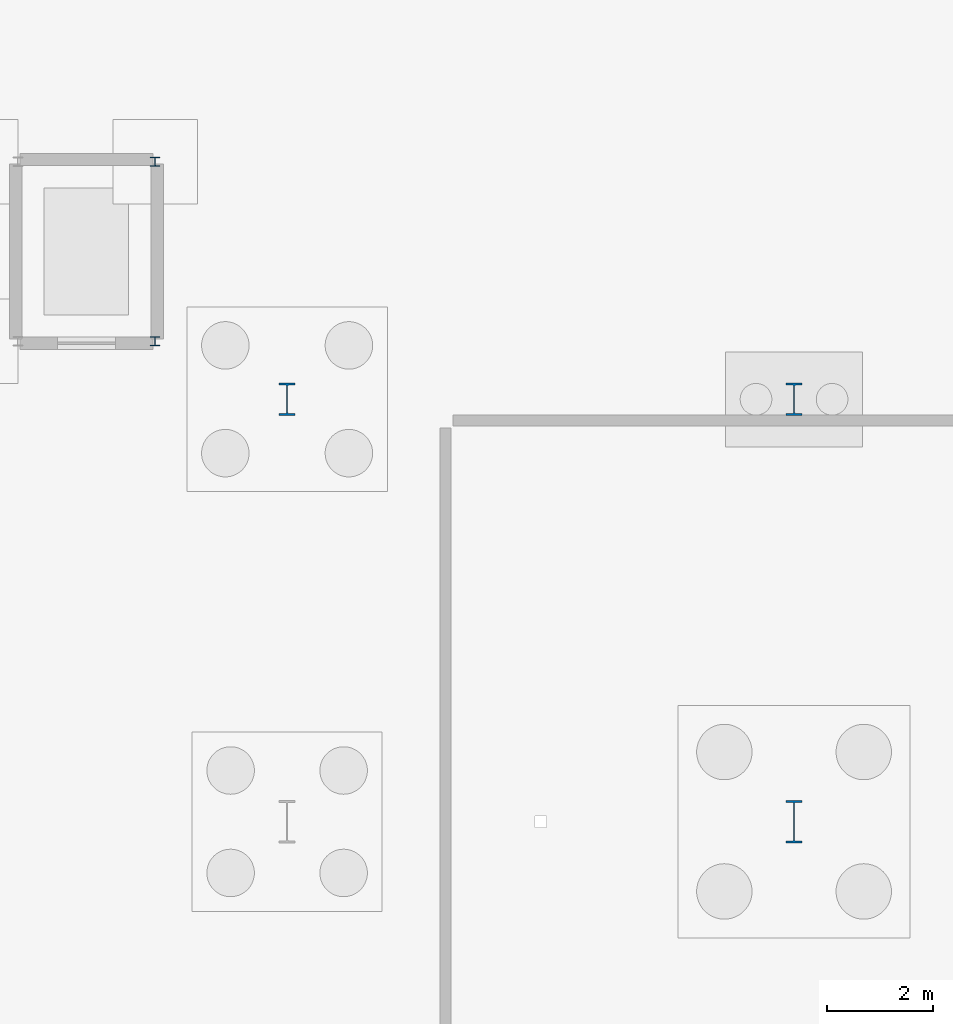
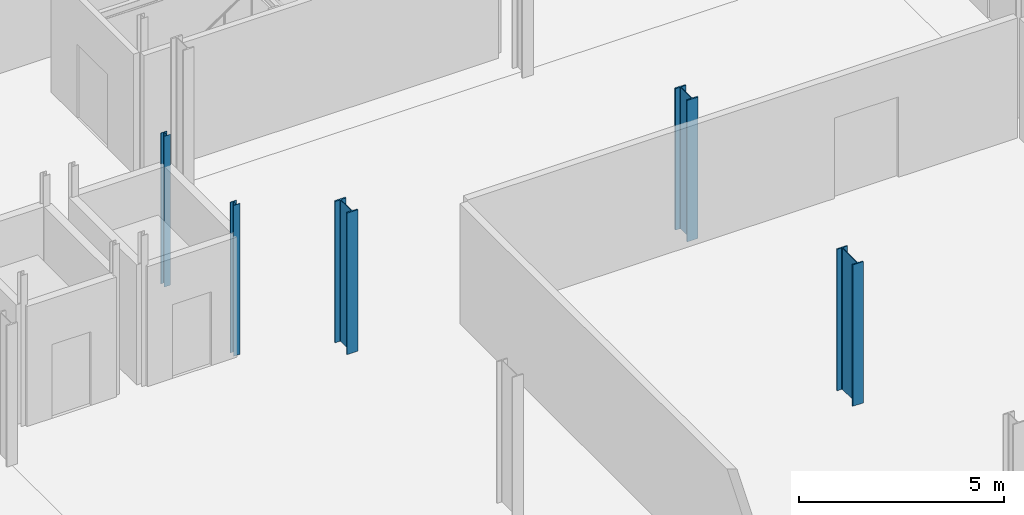
# One storey, part 17 of 47: 5 columns.
"""IFC4 building model written with IfcOpenShell, lengths in metres."""

from ifc_helpers import new_model, si_unit, direction, frame, origin, origin_2d, place, context, subcontext, project, spatial, i_section, extrude, material, material_profile, profile_set, type_object, element, save


model = new_model("IFC4")

# Units and contexts
model_context = context("Model", 3, precision=1e-05, world=origin(), true_north=direction((0.0, 1.0)))
body_context = subcontext(model_context, "Body", "Model", "MODEL_VIEW")
ifc_project = project(units=[si_unit("LENGTHUNIT", "METRE"), si_unit("AREAUNIT", "SQUARE_METRE"), si_unit("VOLUMEUNIT", "CUBIC_METRE"), si_unit("PLANEANGLEUNIT", "RADIAN"), si_unit("MASSUNIT", "GRAM", prefix="KILO")], contexts=[model_context])

# Site, building, storey
site_placement = place(None, origin())
site = spatial("IfcSite", under=ifc_project, at=site_placement, CompositionType="ELEMENT")
building_placement = place(site_placement, origin())
building = spatial("IfcBuilding", under=site, at=building_placement, Name="Alderhovde Museum", CompositionType="ELEMENT")
storey_placement = place(building_placement, frame((0.0, 0.0, -4.5)))
storey = spatial("IfcBuildingStorey", under=building, at=storey_placement, Name="B1", CompositionType="ELEMENT", Elevation=-4.5)

# Columns
ifc_material_1 = material(Name="Steel S355J2", Category="steel")
ifc_material_profile_1 = material_profile(ifc_material_1, i_section(OverallWidth=0.179931640625, OverallDepth=0.1708984375, WebThickness=0.006103515625, FlangeThickness=0.009521484375, FilletRadius=0.014892578125, at=origin_2d()), Name="HEA 180")
ifc_profile_set_1 = profile_set([ifc_material_profile_1], Name="Steel S355J2")
column_type_1 = type_object("IfcColumnType", Name="COL-HEA180", PredefinedType="COLUMN", material=ifc_profile_set_1)
for number, where, z_axis, x_axis, name in (
    (1, (26.300048828125, 73.10009765625, 0.0), (0.0, 0.0, 1.0), (1.0, 0.0, 0.0), "B1 Lift PL-02 Shaft Column 2"),
    (2, (26.300048828125, 76.5, 0.0), (0.0, 0.0, 1.0), (1.0, 0.0, 0.0), "B1 Lift PL-02 Shaft Column 3"),
):
    element("IfcColumn", number, at=place(storey_placement, frame(where, z_axis=z_axis, x_axis=x_axis)), inside=storey, type_object=column_type_1, Name=name, PredefinedType="COLUMN", context=body_context, shape_type="SweptSolid", body=[
        extrude(i_section(OverallWidth=0.179931640625, OverallDepth=0.1708984375, WebThickness=0.006103515625, FlangeThickness=0.009521484375, FilletRadius=0.014892578125, at=origin_2d()), origin(), (0.0, 0.0, 1.0), 4.5),
    ])
ifc_material_2 = material(Name="Steel S355J2", Category="steel")
ifc_material_profile_2 = material_profile(ifc_material_2, i_section(OverallWidth=0.300048828125, OverallDepth=0.800048828125, WebThickness=0.017578125, FlangeThickness=0.032958984375, FilletRadius=0.030029296875, at=origin_2d()), Name="HEB 800")
ifc_profile_set_2 = profile_set([ifc_material_profile_2], Name="Steel S355J2")
column_type_2 = type_object("IfcColumnType", Name="COL-HEB800", PredefinedType="COLUMN", material=ifc_profile_set_2)
column_placement = place(storey_placement, frame((38.39990234375, 64.0, 0.0), z_axis=(0.0, 0.0, 1.0), x_axis=(1.0, 0.0, 0.0)))
element("IfcColumn", 3, at=column_placement, inside=storey, type_object=column_type_2, Name="B1 Column (38.4, 64.0)", PredefinedType="COLUMN", context=body_context, shape_type="SweptSolid", body=[
    extrude(i_section(OverallWidth=0.300048828125, OverallDepth=0.800048828125, WebThickness=0.017578125, FlangeThickness=0.032958984375, FilletRadius=0.030029296875, at=origin_2d()), origin(), (0.0, 0.0, 1.0), 4.219970703125),
])
ifc_material_3 = material(Name="Steel S355J2", Category="steel")
ifc_material_profile_3 = material_profile(ifc_material_3, i_section(OverallWidth=0.304931640625, OverallDepth=0.6201171875, WebThickness=0.02099609375, FlangeThickness=0.0400390625, FilletRadius=0.027099609375, at=origin_2d()), Name="HEM 600")
ifc_profile_set_3 = profile_set([ifc_material_profile_3], Name="Steel S355J2")
column_type_3 = type_object("IfcColumnType", Name="COL-HEM600", PredefinedType="COLUMN", material=ifc_profile_set_3)
for number, where, z_axis, x_axis, name in (
    (4, (28.800048828125, 72.0, 0.0), (0.0, 0.0, 1.0), (1.0, 0.0, 0.0), "B1 Column (28.8, 72.0)"),
    (5, (38.39990234375, 72.0, 0.0), (0.0, 0.0, 1.0), (1.0, 0.0, 0.0), "B1 Column (38.4, 72.0)"),
):
    element("IfcColumn", number, at=place(storey_placement, frame(where, z_axis=z_axis, x_axis=x_axis)), inside=storey, type_object=column_type_3, Name=name, PredefinedType="COLUMN", context=body_context, shape_type="SweptSolid", body=[
        extrude(i_section(OverallWidth=0.304931640625, OverallDepth=0.6201171875, WebThickness=0.02099609375, FlangeThickness=0.0400390625, FilletRadius=0.027099609375, at=origin_2d()), origin(), (0.0, 0.0, 1.0), 4.219970703125),
    ])

save(model, "model.ifc")
